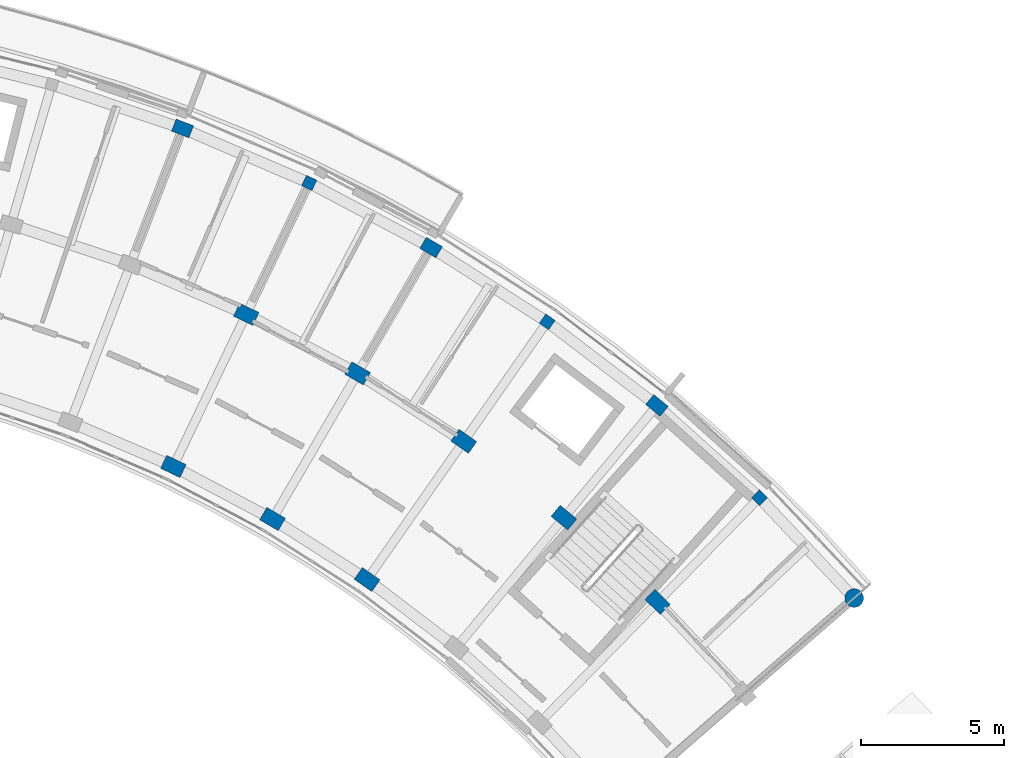
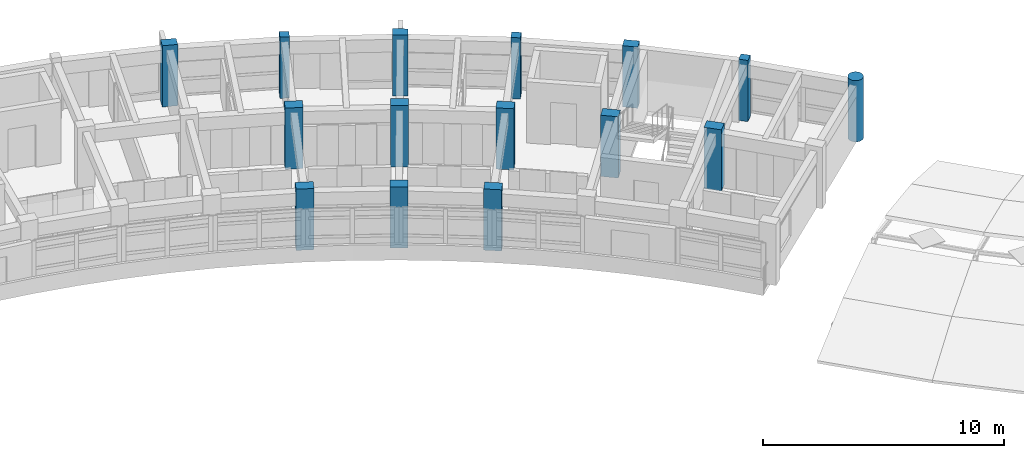
# One storey, part 4 of 40: 15 columns.
"""IFC4 building model written with IfcOpenShell, lengths in metres."""

from ifc_helpers import new_model, si_unit, direction, frame, origin, origin_2d, place, context, subcontext, project, spatial, rectangle, circle, extrude, material, material_profile, profile_set, type_object, element, save


model = new_model("IFC4")

# Units and contexts
model_context = context("Model", 3, precision=1e-05, world=origin(), true_north=direction((0.0, 1.0)))
body_context = subcontext(model_context, "Body", "Model", "MODEL_VIEW")
ifc_project = project(units=[si_unit("LENGTHUNIT", "METRE"), si_unit("AREAUNIT", "SQUARE_METRE"), si_unit("VOLUMEUNIT", "CUBIC_METRE"), si_unit("PLANEANGLEUNIT", "RADIAN"), si_unit("MASSUNIT", "GRAM", prefix="KILO")], contexts=[model_context])

# Site, building, storey
site_placement = place(None, origin())
site = spatial("IfcSite", under=ifc_project, at=site_placement, CompositionType="ELEMENT")
building_placement = place(site_placement, origin())
building = spatial("IfcBuilding", under=site, at=building_placement, Name="Zimvara Arc Housing Community", CompositionType="ELEMENT")
storey_placement = place(building_placement, frame((0.0, 0.0, 32.89990234375)))
storey = spatial("IfcBuildingStorey", under=building, at=storey_placement, Name="L10", CompositionType="ELEMENT", Elevation=32.89990234375)

# Columns
ifc_material_1 = material(Name="Concrete C40/50", Category="concrete")
ifc_material_profile_1 = material_profile(ifc_material_1, rectangle(XDim=0.39990234375, YDim=0.39990234375, at=origin_2d()), Name="RC 400x400")
ifc_profile_set_1 = profile_set([ifc_material_profile_1], Name="Concrete C40/50")
column_type_1 = type_object("IfcColumnType", Name="COL-RC-400x400", PredefinedType="COLUMN", material=ifc_profile_set_1)
for number, where, z_axis, x_axis, name in (
    (1, (70.441162109375, 97.599853515625, 0.0), (0.0, 0.0, 1.0), (0.432085748802, 0.901832526405, 0.0), "col:blkB:L10:b5:r3"),
    (2, (78.738525390625, 92.755126953125, 0.0), (0.0, 0.0, 1.0), (0.573004420611, 0.819552276527, 0.0), "col:blkB:L10:b7:r3"),
    (3, (86.137451171875, 86.625732421875, 0.0), (0.0, 0.0, 1.0), (0.698665066769, 0.715448897181, 0.0), "col:blkB:L10:b9:r3"),
):
    element("IfcColumn", number, at=place(storey_placement, frame(where, z_axis=z_axis, x_axis=x_axis)), inside=storey, type_object=column_type_1, Name=name, PredefinedType="COLUMN", context=body_context, shape_type="SweptSolid", body=[
        extrude(rectangle(XDim=0.39990234375, YDim=0.39990234375, at=origin_2d()), origin(), (0.0, 0.0, 1.0), 3.10009765625),
    ])
ifc_material_2 = material(Name="Concrete C40/50", Category="concrete")
ifc_material_profile_2 = material_profile(ifc_material_2, rectangle(XDim=0.449951171875, YDim=0.64990234375, at=origin_2d()), Name="RC 450x650")
ifc_profile_set_2 = profile_set([ifc_material_profile_2], Name="Concrete C40/50")
column_type_2 = type_object("IfcColumnType", Name="COL-RC-450x650", PredefinedType="COLUMN", material=ifc_profile_set_2)
for number, where, z_axis, x_axis, name in (
    (4, (66.02392578125, 99.49853515625, 0.0), (0.0, 0.0, 1.0), (0.357064076459, 0.934079892355, 0.0), "col:blkB:L10:b4:r3"),
    (5, (74.688720703125, 95.34716796875, 0.0), (0.0, 0.0, 1.0), (0.504226211181, 0.863571611366, 0.0), "col:blkB:L10:b6:r3"),
    (6, (82.563232421875, 89.841552734375, 0.0), (0.0, 0.0, 1.0), (0.637961754089, 0.770068049148, 0.0), "col:blkB:L10:b8:r3"),
):
    element("IfcColumn", number, at=place(storey_placement, frame(where, z_axis=z_axis, x_axis=x_axis)), inside=storey, type_object=column_type_2, Name=name, PredefinedType="COLUMN", context=body_context, shape_type="SweptSolid", body=[
        extrude(rectangle(XDim=0.449951171875, YDim=0.64990234375, at=origin_2d()), origin(), (0.0, 0.0, 1.0), 3.10009765625),
    ])
ifc_material_3 = material(Name="Concrete C40/50", Category="concrete")
ifc_material_profile_3 = material_profile(ifc_material_3, rectangle(XDim=0.5, YDim=0.75, at=origin_2d()), Name="RC 500x750")
ifc_profile_set_3 = profile_set([ifc_material_profile_3], Name="Concrete C40/50")
column_type_3 = type_object("IfcColumnType", Name="COL-RC-500x750", PredefinedType="COLUMN", material=ifc_profile_set_3)
for number, where, z_axis, x_axis, name in (
    (7, (65.70556640625, 87.7158203125, 0.0), (0.0, 0.0, 1.0), (0.432085748802, 0.901832526405, 0.0), "col:blkB:L10:b5:r1"),
    (8, (68.24609375, 93.0185546875, 0.0), (0.0, 0.0, 1.0), (0.432085748802, 0.901832526405, 0.0), "col:blkB:L10:b5:r2"),
    (9, (69.16259765625, 85.88232421875, 0.0), (0.0, 0.0, 1.0), (0.504226211181, 0.863571611366, 0.0), "col:blkB:L10:b6:r1"),
    (10, (72.12744140625, 90.960205078125, 0.0), (0.0, 0.0, 1.0), (0.504226211181, 0.863571611366, 0.0), "col:blkB:L10:b6:r2"),
    (11, (72.458251953125, 83.77294921875, 0.0), (0.0, 0.0, 1.0), (0.573004420611, 0.819552276527, 0.0), "col:blkB:L10:b7:r1"),
    (12, (75.82763671875, 88.591796875, 0.0), (0.0, 0.0, 1.0), (0.573004420611, 0.819552276527, 0.0), "col:blkB:L10:b7:r2"),
    (13, (79.322265625, 85.9296875, 0.0), (0.0, 0.0, 1.0), (0.637961754089, 0.770068049148, 0.0), "col:blkB:L10:b8:r2"),
    (14, (82.588134765625, 82.9912109375, 0.0), (0.0, 0.0, 1.0), (0.698665066769, 0.715448897181, 0.0), "col:blkB:L10:b9:r2"),
):
    element("IfcColumn", number, at=place(storey_placement, frame(where, z_axis=z_axis, x_axis=x_axis)), inside=storey, type_object=column_type_3, Name=name, PredefinedType="COLUMN", context=body_context, shape_type="SweptSolid", body=[
        extrude(rectangle(XDim=0.5, YDim=0.75, at=origin_2d()), origin(), (0.0, 0.0, 1.0), 3.10009765625),
    ])
ifc_material_4 = material(Name="Concrete C40/50", Category="concrete")
ifc_material_profile_4 = material_profile(ifc_material_4, circle(Radius=0.324951171875, at=origin_2d()), Name="RC D650")
ifc_profile_set_4 = profile_set([ifc_material_profile_4], Name="Concrete C40/50")
column_type_4 = type_object("IfcColumnType", Name="COL-RC-D600", PredefinedType="COLUMN", material=ifc_profile_set_4)
column_placement = place(storey_placement, frame((89.437255859375, 83.128662109375, 0.0), z_axis=(0.0, 0.0, 1.0), x_axis=(0.754709580223, 0.656059028991, 0.0)))
element("IfcColumn", 15, at=column_placement, inside=storey, type_object=column_type_4, Name="col:blkB:L10:b10:r3", PredefinedType="COLUMN", context=body_context, shape_type="SweptSolid", body=[
    extrude(circle(Radius=0.324951171875, at=origin_2d()), origin(), (0.0, 0.0, 1.0), 3.10009765625),
])

save(model, "model.ifc")
